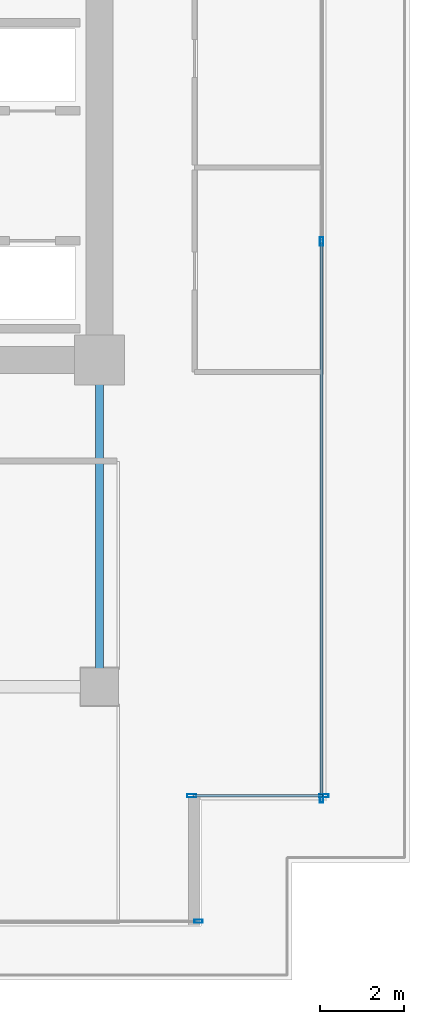
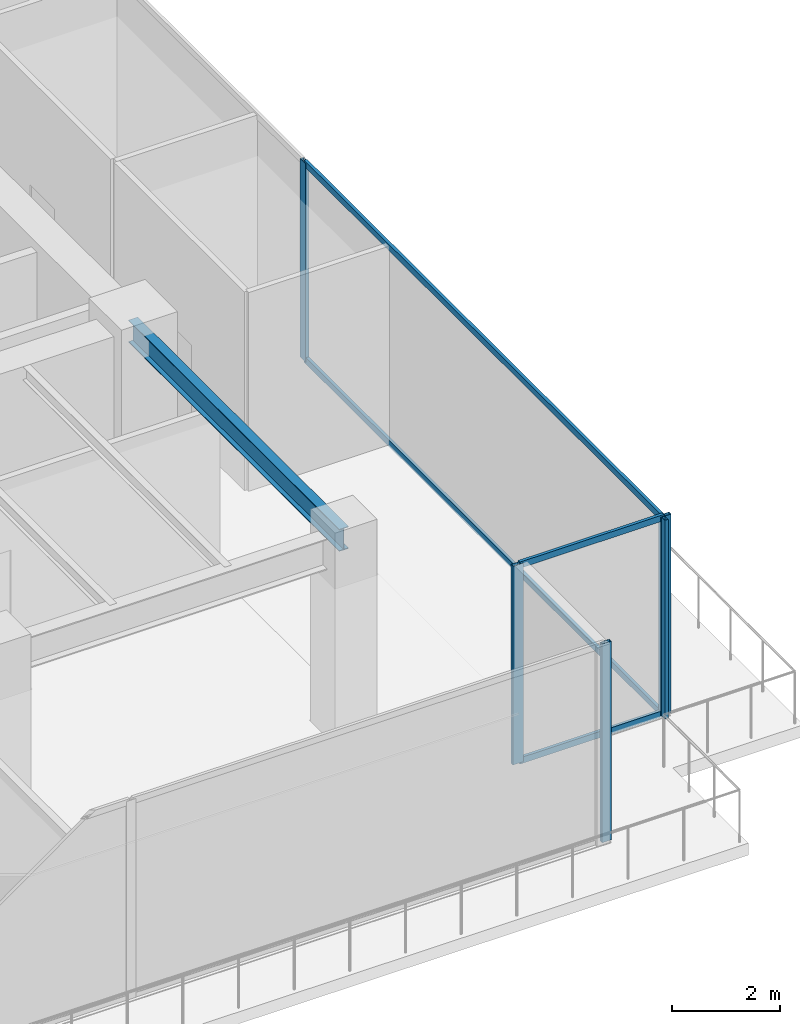
# One storey, part 21 of 33: 9 members, 1 beam, 3 elements without a shape of their own.
"""IFC4 building model written with IfcOpenShell, lengths in metres."""

import ifcopenshell
import ifcopenshell.guid

model = None  # the IFC model being written
_history = None  # IfcOwnerHistory: only IFC2X3 demands one
_inside = {}  # id of a spatial element -> (the spatial element, [elements in it])
_under = {}  # id of a project, library or spatial element -> (it, [spatial elements below it])
_declared = {}  # id of a project -> (the project, [libraries it declares])
_typed = {}  # id of a type object -> (the type object, [elements of that type])
_made_of = {}  # id of a material, layer set ... -> (it, [elements and type objects made of it])


def new_model(schema):
    """Start an empty IFC model of exactly this schema.

    Asked for "IFC4X3", IfcOpenShell would pick the latest addendum, in which some entities
    have other attributes; the version numbers below select the first issue.
    IFC2X3 requires an IfcOwnerHistory on every rooted entity: one is made here for all.
    """
    global model, _history
    if schema == "IFC4X3":
        model = ifcopenshell.file(schema_version=(4, 3, 0, 0))
    else:
        model = ifcopenshell.file(schema=schema)
    _inside.clear()
    _under.clear()
    _declared.clear()
    _typed.clear()
    _made_of.clear()
    _history = None
    if model.schema == "IFC2X3":
        org = make("IfcOrganization", Name="unknown")
        user = make(
            "IfcPersonAndOrganization",
            ThePerson=make("IfcPerson", FamilyName="unknown"),
            TheOrganization=org,
        )
        app = make(
            "IfcApplication",
            ApplicationDeveloper=org,
            Version="unknown",
            ApplicationFullName="unknown",
            ApplicationIdentifier="unknown",
        )
        _history = make(
            "IfcOwnerHistory",
            OwningUser=user,
            OwningApplication=app,
            ChangeAction="ADDED",
            CreationDate=0,
        )
    return model


def make(cls, **values):
    """One entity of the class cls with the attributes given. An attribute that is None is left unset."""
    return model.create_entity(
        cls, **{name: value for name, value in values.items() if value is not None}
    )


def rooted(cls, **values):
    """An entity with a GlobalId (a new one), such as an element, a storey or a relation."""
    return make(cls, GlobalId=ifcopenshell.guid.new(), OwnerHistory=_history, **values)


def si_unit(unit_type, name, prefix=None):
    """IfcSIUnit, for example si_unit("LENGTHUNIT", "METRE", prefix="MILLI")."""
    return make("IfcSIUnit", UnitType=unit_type, Prefix=prefix, Name=name)


def assignment(units):
    """IfcUnitAssignment: the units of a project."""
    return None if units is None else make("IfcUnitAssignment", Units=units)


def point(xyz):
    """IfcCartesianPoint."""
    return None if xyz is None else make("IfcCartesianPoint", Coordinates=xyz)


def direction(xyz):
    """IfcDirection."""
    return None if xyz is None else make("IfcDirection", DirectionRatios=xyz)


def frame(location, z_axis=None, x_axis=None):
    """IfcAxis2Placement3D, a coordinate frame: its origin and axes. An axis left out is left unset."""
    return make(
        "IfcAxis2Placement3D",
        Location=point(location),
        Axis=direction(z_axis),
        RefDirection=direction(x_axis),
    )


def frame_2d(location, x_axis=None):
    """IfcAxis2Placement2D, a coordinate frame in the plane: its origin and x axis."""
    return make(
        "IfcAxis2Placement2D", Location=point(location), RefDirection=direction(x_axis)
    )


def origin():
    """The frame at (0, 0, 0) with its axes left unset."""
    return frame((0.0, 0.0, 0.0))


def origin_2d():
    """The frame at (0, 0) in the plane with its x axis left unset."""
    return frame_2d((0.0, 0.0))


def place(relative_to, where):
    """IfcLocalPlacement: puts the frame where relative to a parent placement (None: the world)."""
    return make(
        "IfcLocalPlacement", PlacementRelTo=relative_to, RelativePlacement=where
    )


def context(
    kind, dimensions, precision=None, world=None, true_north=None, identifier=None
):
    """IfcGeometricRepresentationContext, for example the 3D "Model" context."""
    return make(
        "IfcGeometricRepresentationContext",
        ContextIdentifier=identifier,
        ContextType=kind,
        CoordinateSpaceDimension=dimensions,
        Precision=precision,
        WorldCoordinateSystem=world,
        TrueNorth=true_north,
    )


def subcontext(parent, identifier, kind, view, scale=None):
    """IfcGeometricRepresentationSubContext, for example "Body" below "Model"."""
    return make(
        "IfcGeometricRepresentationSubContext",
        ContextIdentifier=identifier,
        ContextType=kind,
        ParentContext=parent,
        TargetScale=scale,
        TargetView=view,
    )


def project(units=None, contexts=None):
    """IfcProject with its units and contexts."""
    return rooted(
        "IfcProject",
        Name="project",
        RepresentationContexts=contexts,
        UnitsInContext=assignment(units),
    )


def spatial(cls, under=None, at=None, **own):
    """A site, building, storey or space (cls), placed at a placement, below another one or the project."""
    s = rooted(cls, ObjectPlacement=at, **own)
    if under is not None:
        _under.setdefault(under.id(), (under, []))[1].append(s)
    return s


def profile(cls, at=None, kind="AREA", **sizes):
    """A parametric profile (cls). Its sizes go by their IFC names, for example OverallWidth=200.0."""
    return make(cls, ProfileType=kind, Position=at, **sizes)


def hollow_rectangle(**sizes):
    """IfcRectangleHollowProfileDef."""
    return profile("IfcRectangleHollowProfileDef", **sizes)


def i_section(**sizes):
    """IfcIShapeProfileDef."""
    return profile("IfcIShapeProfileDef", **sizes)


def extrude(swept, where, along, depth):
    """IfcExtrudedAreaSolid: the profile swept, set in the frame where, extruded along a direction by depth."""
    return make(
        "IfcExtrudedAreaSolid",
        SweptArea=swept,
        Position=where,
        ExtrudedDirection=direction(along),
        Depth=depth,
    )


def shape(context_of_items, identifier, shape_type, items):
    """IfcShapeRepresentation: the items that make up one representation, for example the "Body"."""
    return make(
        "IfcShapeRepresentation",
        ContextOfItems=context_of_items,
        RepresentationIdentifier=identifier,
        RepresentationType=shape_type,
        Items=items,
    )


def source(mapping_origin, context_of_items, identifier, shape_type, items):
    """IfcRepresentationMap: a shape defined once, which mapped items show again and again."""
    return make(
        "IfcRepresentationMap",
        MappingOrigin=mapping_origin,
        MappedRepresentation=shape(context_of_items, identifier, shape_type, items),
    )


def transform(
    local_origin,
    x_axis=None,
    y_axis=None,
    z_axis=None,
    scale=None,
    scale2=None,
    scale3=None,
    uniform=True,
):
    """IfcCartesianTransformationOperator3D, or its non-uniform kind. x_axis, y_axis, z_axis: its Axis1, 2, 3."""
    if uniform:
        return make(
            "IfcCartesianTransformationOperator3D",
            Axis1=direction(x_axis),
            Axis2=direction(y_axis),
            LocalOrigin=point(local_origin),
            Scale=scale,
            Axis3=direction(z_axis),
        )
    return make(
        "IfcCartesianTransformationOperator3DnonUniform",
        Axis1=direction(x_axis),
        Axis2=direction(y_axis),
        LocalOrigin=point(local_origin),
        Scale=scale,
        Axis3=direction(z_axis),
        Scale2=scale2,
        Scale3=scale3,
    )


def mapped(mapping_source, mapping_target):
    """IfcMappedItem: shows the shape of a source again, moved by a transform."""
    return make(
        "IfcMappedItem", MappingSource=mapping_source, MappingTarget=mapping_target
    )


def material(Name=None, Category=None):
    """IfcMaterial."""
    return make("IfcMaterial", Name=Name, Category=Category)


def layer(
    of_material, thickness, ventilated=None, Name=None, Category=None, Priority=None
):
    """IfcMaterialLayer: one layer of a wall or slab, of a material (None: an air gap)."""
    return make(
        "IfcMaterialLayer",
        Material=of_material,
        LayerThickness=thickness,
        IsVentilated=ventilated,
        Name=Name,
        Category=Category,
        Priority=Priority,
    )


def layer_set(layers, Name=None):
    """IfcMaterialLayerSet."""
    return make("IfcMaterialLayerSet", MaterialLayers=layers, LayerSetName=Name)


def material_profile(
    of_material, cross_section, Name=None, Category=None, Priority=None
):
    """IfcMaterialProfile: a cross section and its material."""
    return make(
        "IfcMaterialProfile",
        Name=Name,
        Material=of_material,
        Profile=cross_section,
        Priority=Priority,
        Category=Category,
    )


def profile_set(profiles, Name=None, composite=None):
    """IfcMaterialProfileSet."""
    return make(
        "IfcMaterialProfileSet",
        Name=Name,
        MaterialProfiles=profiles,
        CompositeProfile=composite,
    )


def made_of(thing, what):
    """Note that an element or type object is made of a material, layer set ...; save() writes the relation."""
    if what is not None:
        _made_of.setdefault(what.id(), (what, []))[1].append(thing)
    return thing


def type_object(cls, material=None, **own):
    """A type object (cls), such as IfcWallType, which elements share."""
    return made_of(rooted(cls, **own), material)


def type_shapes(of_type, sources):
    """Give a type object the sources (RepresentationMaps) that its elements show as mapped items."""
    of_type.RepresentationMaps = sources


def element(
    cls,
    number,
    at=None,
    inside=None,
    cuts=None,
    type_object=None,
    material=None,
    context=None,
    identifier="Body",
    shape_type=None,
    held_by="IfcProductDefinitionShape",
    body=None,
    shapes=None,
    **own,
):
    """One element of the class cls, such as IfcWall. Its Tag is "e" and its number.

    at: its placement. inside: the storey or other place that contains it. cuts: it is an
    opening in that element (IfcRelVoidsElement). A single representation is given by context,
    identifier, shape_type and body (its items); several are given by shapes. held_by: the class
    of the entity that holds the representations. save() writes the other relations.
    """
    e = rooted(cls, Tag="e%d" % number, ObjectPlacement=at, **own)
    if body is not None:
        shapes = [shape(context, identifier, shape_type, body)]
    if shapes is not None:
        e.Representation = make(held_by, Representations=shapes)
    if inside is not None:
        _inside.setdefault(inside.id(), (inside, []))[1].append(e)
    if cuts is not None:
        rooted(
            "IfcRelVoidsElement", RelatingBuildingElement=cuts, RelatedOpeningElement=e
        )
    if type_object is not None:
        _typed.setdefault(type_object.id(), (type_object, []))[1].append(e)
    return made_of(e, material)


def aggregate(whole, parts):
    """IfcRelAggregates: a whole, such as a stair, and the parts it consists of."""
    return rooted("IfcRelAggregates", RelatingObject=whole, RelatedObjects=parts)


def save(model, path):
    """Write the relations noted so far, then the file.

    IfcRelAggregates (storeys below a building ...), IfcRelContainedInSpatialStructure (elements
    in a storey), IfcRelDefinesByType, IfcRelAssociatesMaterial and IfcRelDeclares: one each for
    every whole, place, type object, material and project.
    """
    for whole, parts in _under.values():
        aggregate(whole, parts)
    for where, things in _inside.values():
        rooted(
            "IfcRelContainedInSpatialStructure",
            RelatedElements=things,
            RelatingStructure=where,
        )
    for kind, things in _typed.values():
        rooted("IfcRelDefinesByType", RelatedObjects=things, RelatingType=kind)
    for what, things in _made_of.values():
        rooted("IfcRelAssociatesMaterial", RelatedObjects=things, RelatingMaterial=what)
    for by, libraries in _declared.values():
        rooted("IfcRelDeclares", RelatingContext=by, RelatedDefinitions=libraries)
    model.write(path)


model = new_model("IFC4")

# Units and contexts
model_context = context("Model", 3, precision=1e-05, world=origin(), true_north=direction((0.0, 1.0)))
body_context = subcontext(model_context, "Body", "Model", "MODEL_VIEW")
ifc_project = project(units=[si_unit("LENGTHUNIT", "METRE"), si_unit("AREAUNIT", "SQUARE_METRE"), si_unit("VOLUMEUNIT", "CUBIC_METRE"), si_unit("PLANEANGLEUNIT", "RADIAN"), si_unit("MASSUNIT", "GRAM", prefix="KILO")], contexts=[model_context])

# Site, building, storey
site_placement = place(None, origin())
site = spatial("IfcSite", under=ifc_project, at=site_placement, CompositionType="ELEMENT")
building_placement = place(site_placement, origin())
building = spatial("IfcBuilding", under=site, at=building_placement, Name="Haelvirn Gate Laboratories", CompositionType="ELEMENT")
storey_placement = place(building_placement, frame((0.0, 0.0, 100.300048828125)))
storey = spatial("IfcBuildingStorey", under=building, at=storey_placement, Name="L24", CompositionType="ELEMENT", Elevation=100.300048828125)

# Beam
ifc_material_1 = material(Name="Steel SM355", Category="steel")
ifc_material_profile_1 = material_profile(ifc_material_1, i_section(OverallWidth=0.199951171875, OverallDepth=0.5, WebThickness=0.010009765625, FlangeThickness=0.01611328125, at=origin_2d()), Name="H-500x200x10x16")
ifc_profile_set_1 = profile_set([ifc_material_profile_1], Name="Steel SM355")
beam_type = type_object("IfcBeamType", Name="BM-SP-500", PredefinedType="SPANDREL", material=ifc_profile_set_1)
shared_shape_1 = source(origin(), body_context, "Body", "SweptSolid", [
    extrude(i_section(OverallWidth=0.199951171875, OverallDepth=0.5, WebThickness=0.010009765625, FlangeThickness=0.01611328125, at=origin_2d()), origin(), (0.0, 0.0, 1.0), 7.800048828125),
])
type_shapes(beam_type, [shared_shape_1])
beam_placement = place(storey_placement, frame((67.39990234375, 7.0, 4.239990234375), z_axis=(0.0, 1.0, 0.0), x_axis=(-1.0, 0.0, 0.0)))
element("IfcBeam", 1, at=beam_placement, inside=storey, type_object=beam_type, Name="L24 Perimeter Spandrel X67.4 (7.0-14.8)", PredefinedType="SPANDREL", context=body_context, shape_type="MappedRepresentation", body=[
    mapped(shared_shape_1, transform((0.0, 0.0, 0.0), scale=1.0)),
])

# Curtain wall, member
ifc_material_2 = material(Name="Anodised bronze unitised aluminium & triple low-E glass", Category="aluminium")
ifc_layer_1 = layer(ifc_material_2, 0.179931640625, Name="CW-SYS-3")
ifc_layer_set_1 = layer_set([ifc_layer_1], Name="Anodised bronze unitised aluminium & triple low-E glass")
curtain_wall_type_1 = type_object("IfcCurtainWallType", Name="CW-SYS-3", PredefinedType="NOTDEFINED", material=ifc_layer_set_1)
curtain_wall_1_placement = place(storey_placement, origin())
curtain_wall_1 = element("IfcCurtainWall", 2, at=curtain_wall_1_placement, inside=storey, type_object=curtain_wall_type_1, Name="L24 Unitised Curtain Wall CW-L24-P0-E04-1", PredefinedType="NOTDEFINED")
ifc_material_3 = material(Name="Extruded aluminium 6063-T6 (anodised bronze)", Category="aluminium")
ifc_material_profile_2 = material_profile(ifc_material_3, hollow_rectangle(XDim=0.074951171875, YDim=0.199951171875, WallThickness=0.0048828125, at=origin_2d()), Name="CWM-200x75x5")
ifc_profile_set_2 = profile_set([ifc_material_profile_2], Name="Extruded aluminium 6063-T6 (anodised bronze)")
member_type_1 = type_object("IfcMemberType", Name="CWM-T200", PredefinedType="MULLION", material=ifc_profile_set_2)
shared_shape_2 = source(origin(), body_context, "Body", "SweptSolid", [
    extrude(hollow_rectangle(XDim=0.074951171875, YDim=0.199951171875, WallThickness=0.0048828125, at=origin_2d()), origin(), (0.0, 0.0, 1.0), 4.489990234375),
])
type_shapes(member_type_1, [shared_shape_2])
member_1_placement = place(storey_placement, frame((69.762451171875, 1.39990234375, 0.0), z_axis=(0.0, 0.0, 1.0), x_axis=(0.0, 1.0, 0.0)))
member_1 = element("IfcMember", 3, at=member_1_placement, type_object=member_type_1, Name="CW3 mullion 3", PredefinedType="MULLION", context=body_context, shape_type="MappedRepresentation", body=[
    mapped(shared_shape_2, transform((0.0, 0.0, 0.0), scale=1.0)),
])
aggregate(curtain_wall_1, [member_1])

# Curtain wall, members
curtain_wall_2_placement = place(storey_placement, origin())
curtain_wall_2 = element("IfcCurtainWall", 4, at=curtain_wall_2_placement, inside=storey, type_object=curtain_wall_type_1, Name="L24 Unitised Curtain Wall CW-L24-P0-E07", PredefinedType="NOTDEFINED")
member_2_placement = place(storey_placement, frame((72.699951171875, 4.33740234375, 0.0), z_axis=(0.0, 0.0, 1.0), x_axis=(-1.0, 0.0, 0.0)))
member_2 = element("IfcMember", 5, at=member_2_placement, type_object=member_type_1, Name="CW3 mullion 1", PredefinedType="MULLION", context=body_context, shape_type="MappedRepresentation", body=[
    mapped(shared_shape_2, transform((0.0, 0.0, 0.0), scale=1.0)),
])
member_3_placement = place(storey_placement, frame((72.699951171875, 17.63330078125, 0.0), z_axis=(0.0, 0.0, 1.0), x_axis=(-1.0, 0.0, 0.0)))
member_3 = element("IfcMember", 6, at=member_3_placement, type_object=member_type_1, Name="CW3 mullion 2", PredefinedType="MULLION", context=body_context, shape_type="MappedRepresentation", body=[
    mapped(shared_shape_2, transform((0.0, 0.0, 0.0), scale=1.0)),
])

ifc_layer_2 = layer(ifc_material_2, 0.181884765625, Name="CW-SYS-5")
ifc_layer_set_2 = layer_set([ifc_layer_2], Name="Anodised bronze unitised aluminium & triple low-E glass")
curtain_wall_type_2 = type_object("IfcCurtainWallType", Name="CW-SYS-5", PredefinedType="NOTDEFINED", material=ifc_layer_set_2)
curtain_wall_3_placement = place(storey_placement, origin())
curtain_wall_3 = element("IfcCurtainWall", 7, at=curtain_wall_3_placement, inside=storey, type_object=curtain_wall_type_2, Name="L24 Unitised Curtain Wall CW-L24-P0-E06-1", PredefinedType="NOTDEFINED")
ifc_material_profile_3 = material_profile(ifc_material_3, hollow_rectangle(XDim=0.080078125, YDim=0.219970703125, WallThickness=0.006103515625, at=origin_2d()), Name="CWM-220x80x6")
ifc_profile_set_3 = profile_set([ifc_material_profile_3], Name="Extruded aluminium 6063-T6 (anodised bronze)")
member_type_2 = type_object("IfcMemberType", Name="CWM-T220", PredefinedType="MULLION", material=ifc_profile_set_3)
shared_shape_3 = source(origin(), body_context, "Body", "SweptSolid", [
    extrude(hollow_rectangle(XDim=0.080078125, YDim=0.219970703125, WallThickness=0.006103515625, at=origin_2d()), origin(), (0.0, 0.0, 1.0), 4.489990234375),
])
type_shapes(member_type_2, [shared_shape_3])
member_4_placement = place(storey_placement, frame((69.60009765625, 4.39990234375, 0.0), z_axis=(0.0, 0.0, 1.0), x_axis=(0.0, 1.0, 0.0)))
member_4 = element("IfcMember", 8, at=member_4_placement, type_object=member_type_2, Name="CW5 mullion 1", PredefinedType="MULLION", context=body_context, shape_type="MappedRepresentation", body=[
    mapped(shared_shape_3, transform((0.0, 0.0, 0.0), scale=1.0)),
])
member_5_placement = place(storey_placement, frame((72.760009765625, 4.39990234375, 0.0), z_axis=(0.0, 0.0, 1.0), x_axis=(0.0, 1.0, 0.0)))
member_5 = element("IfcMember", 9, at=member_5_placement, type_object=member_type_2, Name="CW5 mullion 2", PredefinedType="MULLION", context=body_context, shape_type="MappedRepresentation", body=[
    mapped(shared_shape_3, transform((0.0, 0.0, 0.0), scale=1.0)),
])
ifc_material_profile_4 = material_profile(ifc_material_3, hollow_rectangle(XDim=0.06494140625, YDim=0.139892578125, WallThickness=0.00390625, at=origin_2d()), Name="CWT-140x65x4")
ifc_profile_set_4 = profile_set([ifc_material_profile_4], Name="Extruded aluminium 6063-T6 (anodised bronze)")
member_type_3 = type_object("IfcMemberType", Name="CWT-T140", PredefinedType="USERDEFINED", material=ifc_profile_set_4)
shared_shape_4 = source(origin(), body_context, "Body", "SweptSolid", [
    extrude(hollow_rectangle(XDim=0.06494140625, YDim=0.139892578125, WallThickness=0.00390625, at=origin_2d()), origin(), (0.0, 0.0, 1.0), 3.080078125),
])
member_6_placement = place(storey_placement, frame((69.639892578125, 4.39990234375, 0.032470703125), z_axis=(1.0, 0.0, 0.0), x_axis=(0.0, 1.0, 0.0)))
member_6 = element("IfcMember", 10, at=member_6_placement, type_object=member_type_3, Name="CW5 transom 1.1", ObjectType="TRANSOM", PredefinedType="USERDEFINED", context=body_context, shape_type="MappedRepresentation", body=[
    mapped(shared_shape_4, transform((0.0, 0.0, 0.0), scale=1.0)),
])
member_7_placement = place(storey_placement, frame((69.639892578125, 4.39990234375, 4.45751953125), z_axis=(1.0, 0.0, 0.0), x_axis=(0.0, 1.0, 0.0)))
member_7 = element("IfcMember", 11, at=member_7_placement, type_object=member_type_3, Name="CW5 transom 1.2", ObjectType="TRANSOM", PredefinedType="USERDEFINED", context=body_context, shape_type="MappedRepresentation", body=[
    mapped(shared_shape_4, transform((0.0, 0.0, 0.0), scale=1.0)),
])
aggregate(curtain_wall_3, [member_4, member_5, member_6, member_7])

# Member
shared_shape_5 = source(origin(), body_context, "Body", "SweptSolid", [
    extrude(hollow_rectangle(XDim=0.06494140625, YDim=0.139892578125, WallThickness=0.00390625, at=origin_2d()), origin(), (0.0, 0.0, 1.0), 13.220947265625),
])
type_shapes(member_type_3, [shared_shape_4, shared_shape_5])
member_8_placement = place(storey_placement, frame((72.699951171875, 4.375, 0.032470703125), z_axis=(0.0, 1.0, 0.0), x_axis=(-1.0, 0.0, 0.0)))
member_8 = element("IfcMember", 12, at=member_8_placement, type_object=member_type_3, Name="CW3 transom 1.1", ObjectType="TRANSOM", PredefinedType="USERDEFINED", context=body_context, shape_type="MappedRepresentation", body=[
    mapped(shared_shape_5, transform((0.0, 0.0, 0.0), scale=1.0)),
])

member_9_placement = place(storey_placement, frame((72.699951171875, 4.375, 4.45751953125), z_axis=(0.0, 1.0, 0.0), x_axis=(-1.0, 0.0, 0.0)))
member_9 = element("IfcMember", 13, at=member_9_placement, type_object=member_type_3, Name="CW3 transom 1.2", ObjectType="TRANSOM", PredefinedType="USERDEFINED", context=body_context, shape_type="MappedRepresentation", body=[
    mapped(shared_shape_5, transform((0.0, 0.0, 0.0), scale=1.0)),
])

aggregate(curtain_wall_2, [member_2, member_3, member_8, member_9])

save(model, "model.ifc")
